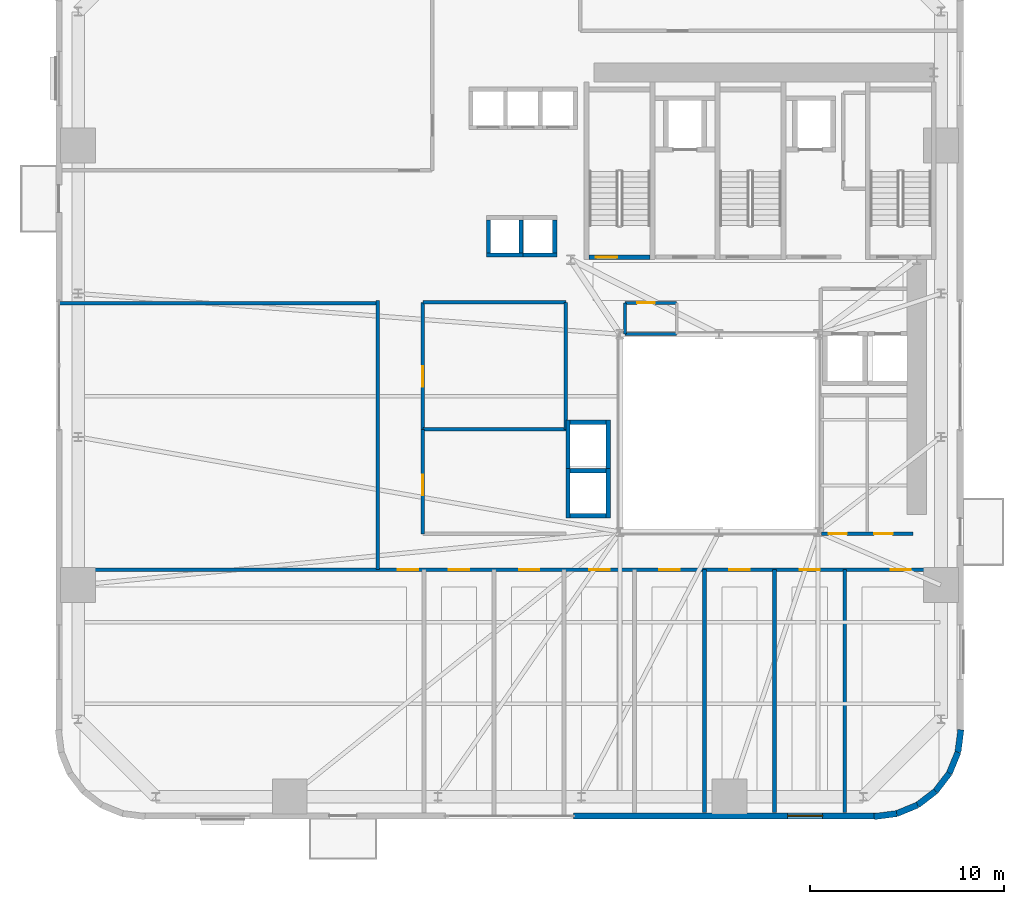
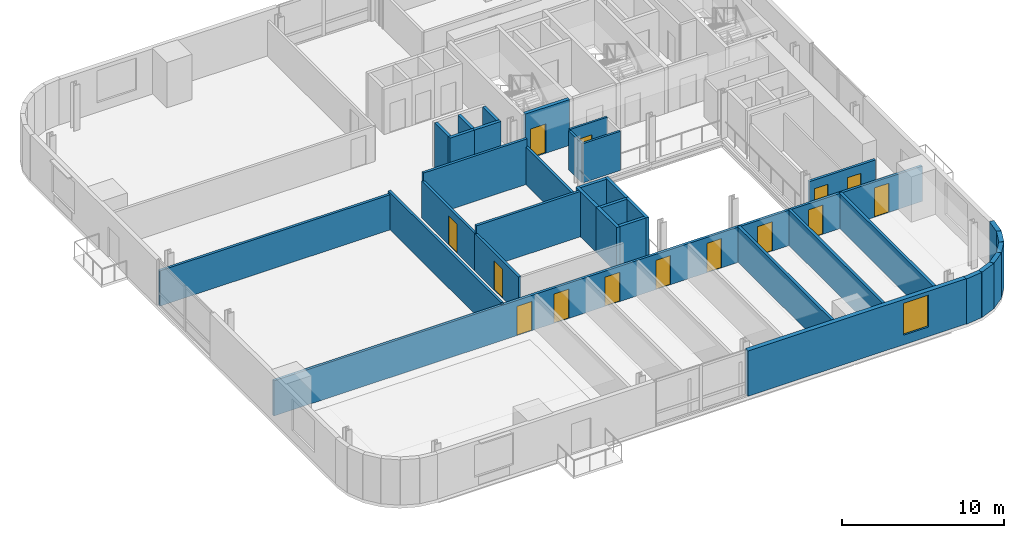
# One storey, part 6 of 13: 35 walls, 14 doors, 1 window, 15 openings.
"""IFC4 building model written with IfcOpenShell, lengths in metres."""

from ifc_helpers import new_model, si_unit, direction, frame, frame_2d, origin, place, context, subcontext, project, spatial, rectangle, extrude, source, transform, mapped, material, layer, layer_set, type_object, element, fill, save


model = new_model("IFC4")

# Units and contexts
model_context = context("Model", 3, precision=1e-05, world=origin(), true_north=direction((0.0, 1.0)))
body_context = subcontext(model_context, "Body", "Model", "MODEL_VIEW")
ifc_project = project(units=[si_unit("LENGTHUNIT", "METRE"), si_unit("AREAUNIT", "SQUARE_METRE"), si_unit("VOLUMEUNIT", "CUBIC_METRE"), si_unit("PLANEANGLEUNIT", "RADIAN"), si_unit("MASSUNIT", "GRAM", prefix="KILO")], contexts=[model_context])

# Site, building, storey
site_placement = place(None, origin())
site = spatial("IfcSite", under=ifc_project, at=site_placement, CompositionType="ELEMENT")
building_placement = place(site_placement, origin())
building = spatial("IfcBuilding", under=site, at=building_placement, Name="Vardaveli Station Tower", CompositionType="ELEMENT")
storey_placement = place(building_placement, frame((0.0, 0.0, 64.10009765625)))
storey = spatial("IfcBuildingStorey", under=building, at=storey_placement, Name="L16", CompositionType="ELEMENT", Elevation=64.10009765625)

# Wall, opening, window
ifc_material_1 = material(Name="Precast concrete C45/55", Category="concrete")
ifc_layer_1 = layer(ifc_material_1, 0.320068359375, Name="Precast concrete C45/55")
ifc_layer_set_1 = layer_set([ifc_layer_1], Name="Precast concrete C45/55")
wall_type_1 = type_object("IfcWallType", Name="WAL-EXT-STONE-320", PredefinedType="SOLIDWALL", material=ifc_layer_set_1)
shared_shape_1 = source(origin(), body_context, "Body", "SweptSolid", [
    extrude(rectangle(XDim=15.599853515625, YDim=0.320068359375, at=frame_2d((7.7998046875, 0.0))), origin(), (0.0, 0.0, 1.0), 3.409912109375),
])
wall_1_placement = place(storey_placement, frame((28.800048828125, 1.9599609375, 0.0), z_axis=(0.0, 0.0, 1.0), x_axis=(1.0, 0.0, 0.0)))
wall_1 = element("IfcWall", 1, at=wall_1_placement, inside=storey, type_object=wall_type_1, Name="EW-L16-S2", PredefinedType="SOLIDWALL", context=body_context, shape_type="MappedRepresentation", body=[
    mapped(shared_shape_1, transform((0.0, 0.0, 0.0), scale=1.0)),
])
shared_shape_2 = source(origin(), body_context, "Body", "SweptSolid", [
    extrude(rectangle(XDim=1.800048828125, YDim=2.39990234375, at=frame_2d((0.89990234375, 1.199951171875))), frame((0.0, 0.169921875, 0.0), z_axis=(0.0, -1.0, 0.0), x_axis=(1.0, 0.0, 0.0)), (0.0, 0.0, 1.0), 0.340087890625),
])
opening_1_placement = place(wall_1_placement, frame((11.044921875, 0.0, 0.719970703125)))
opening_1 = element("IfcOpeningElement", 2, at=opening_1_placement, cuts=wall_1, Name="Opening W-05", PredefinedType="OPENING", context=body_context, shape_type="MappedRepresentation", body=[
    mapped(shared_shape_2, transform((0.0, 0.0, 0.0), scale=1.0)),
])
ifc_material_2 = material(Name="Low-E solar-control glass", Category="glass")
window_type = type_object("IfcWindowType", Name="WIN-HIGH-1800x2400", PartitioningType="SINGLE_PANEL", PredefinedType="WINDOW", material=ifc_material_2)
shared_shape_3 = source(origin(), body_context, "Body", "SweptSolid", [
    extrude(rectangle(XDim=1.800048828125, YDim=2.39990234375, at=frame_2d((0.89990234375, 1.199951171875))), frame((0.0, 0.030029296875, 0.0), z_axis=(0.0, -1.0, 0.0), x_axis=(1.0, 0.0, 0.0)), (0.0, 0.0, 1.0), 0.06005859375),
])
window_placement = place(opening_1_placement, origin())
window = element("IfcWindow", 3, at=window_placement, inside=storey, type_object=window_type, Name="WN-L16-S2", OverallHeight=2.39990234375, OverallWidth=1.800048828125, PartitioningType="SINGLE_PANEL", PredefinedType="WINDOW", context=body_context, shape_type="MappedRepresentation", body=[
    mapped(shared_shape_3, transform((0.0, 0.0, 0.0), scale=1.0)),
])
fill(opening_1, window)

# Walls
shared_shape_4 = source(origin(), body_context, "Body", "SweptSolid", [
    extrude(rectangle(XDim=1.170654296875, YDim=0.320068359375, at=frame_2d((0.58544921875, 0.0))), origin(), (0.0, 0.0, 1.0), 3.409912109375),
])
wall_2_placement = place(storey_placement, frame((48.62548828125, 5.23974609375, 0.0), z_axis=(0.0, 0.0, 1.0), x_axis=(0.128269133229, 0.991739395941, 0.0)))
element("IfcWall", 4, at=wall_2_placement, inside=storey, type_object=wall_type_1, Name="EW-L16-CR2-6", PredefinedType="SOLIDWALL", context=body_context, shape_type="MappedRepresentation", body=[
    mapped(shared_shape_4, transform((0.0, 0.0, 0.0), scale=1.0)),
])
shared_shape_5 = source(origin(), body_context, "Body", "SweptSolid", [
    extrude(rectangle(XDim=1.1689453125, YDim=0.320068359375, at=frame_2d((0.58447265625, 0.0))), origin(), (0.0, 0.0, 1.0), 3.409912109375),
])
for number, where, z_axis, x_axis, name in (
    (5, (47.46875, 3.231201171875, 0.0), (0.0, 0.0, 1.0), (0.608387696831, 0.793639975269, 0.0), "EW-L16-CR2-4"),
    (6, (48.179931640625, 4.158935546875, 0.0), (0.0, 0.0, 1.0), (0.381127904695, 0.924522320046, 0.0), "EW-L16-CR2-5"),
):
    element("IfcWall", number, at=place(storey_placement, frame(where, z_axis=z_axis, x_axis=x_axis)), inside=storey, type_object=wall_type_1, Name=name, PredefinedType="SOLIDWALL", context=body_context, shape_type="MappedRepresentation", body=[
        mapped(shared_shape_5, transform((0.0, 0.0, 0.0), scale=1.0)),
    ])
shared_shape_6 = source(origin(), body_context, "Body", "SweptSolid", [
    extrude(rectangle(XDim=1.168701171875, YDim=0.320068359375, at=frame_2d((0.58447265625, 0.0))), origin(), (0.0, 0.0, 1.0), 3.409912109375),
])
wall_3_placement = place(storey_placement, frame((46.541259765625, 2.520263671875, 0.0), z_axis=(0.0, 0.0, 1.0), x_axis=(0.793663520347, 0.608356981114, 0.0)))
element("IfcWall", 7, at=wall_3_placement, inside=storey, type_object=wall_type_1, Name="EW-L16-CR2-3", PredefinedType="SOLIDWALL", context=body_context, shape_type="MappedRepresentation", body=[
    mapped(shared_shape_6, transform((0.0, 0.0, 0.0), scale=1.0)),
])
shared_shape_7 = source(origin(), body_context, "Body", "SweptSolid", [
    extrude(rectangle(XDim=1.16943359375, YDim=0.320068359375, at=frame_2d((0.584716796875, 0.0))), origin(), (0.0, 0.0, 1.0), 3.409912109375),
])
wall_4_placement = place(storey_placement, frame((45.460205078125, 2.074462890625, 0.0), z_axis=(0.0, 0.0, 1.0), x_axis=(0.924479075121, 0.381232789334, 0.0)))
element("IfcWall", 8, at=wall_4_placement, inside=storey, type_object=wall_type_1, Name="EW-L16-CR2-2", PredefinedType="SOLIDWALL", context=body_context, shape_type="MappedRepresentation", body=[
    mapped(shared_shape_7, transform((0.0, 0.0, 0.0), scale=1.0)),
])
shared_shape_8 = source(origin(), body_context, "Body", "SweptSolid", [
    extrude(rectangle(XDim=1.170166015625, YDim=0.320068359375, at=frame_2d((0.5849609375, 0.0))), origin(), (0.0, 0.0, 1.0), 3.409912109375),
])
wall_5_placement = place(storey_placement, frame((44.299560546875, 1.924560546875, 0.0), z_axis=(0.0, 0.0, 1.0), x_axis=(0.991762485493, 0.128090485085, 0.0)))
element("IfcWall", 9, at=wall_5_placement, inside=storey, type_object=wall_type_1, Name="EW-L16-CR2-1", PredefinedType="SOLIDWALL", context=body_context, shape_type="MappedRepresentation", body=[
    mapped(shared_shape_8, transform((0.0, 0.0, 0.0), scale=1.0)),
])

# Wall, opening, door
ifc_material_3 = material(Name="Concrete C40/50", Category="concrete")
ifc_layer_2 = layer(ifc_material_3, 0.25, Name="Concrete C40/50")
ifc_layer_set_2 = layer_set([ifc_layer_2], Name="Concrete C40/50")
wall_type_2 = type_object("IfcWallType", Name="WAL-SHAFT-250", PredefinedType="SOLIDWALL", material=ifc_layer_set_2)
shared_shape_9 = source(origin(), body_context, "Body", "SweptSolid", [
    extrude(rectangle(XDim=3.14990234375, YDim=0.25, at=frame_2d((1.574951171875, 0.0))), origin(), (0.0, 0.0, 1.0), 3.449951171875),
])
wall_6_placement = place(storey_placement, frame((29.60009765625, 30.77490234375, 0.0), z_axis=(0.0, 0.0, 1.0), x_axis=(1.0, 0.0, 0.0)))
wall_6 = element("IfcWall", 10, at=wall_6_placement, inside=storey, type_object=wall_type_2, Name="W-L16-ST-1S", PredefinedType="SOLIDWALL", context=body_context, shape_type="MappedRepresentation", body=[
    mapped(shared_shape_9, transform((0.0, 0.0, 0.0), scale=1.0)),
])
shared_shape_10 = source(origin(), body_context, "Body", "SweptSolid", [
    extrude(rectangle(XDim=1.10009765625, YDim=2.199951171875, at=frame_2d((0.550048828125, 1.10009765625))), frame((0.0, 0.135009765625, 0.0), z_axis=(0.0, -1.0, 0.0), x_axis=(1.0, 0.0, 0.0)), (0.0, 0.0, 1.0), 0.27001953125),
])
opening_2_placement = place(wall_6_placement, frame((0.35009765625, 0.0, 0.0)))
opening_2 = element("IfcOpeningElement", 11, at=opening_2_placement, cuts=wall_6, Name="Opening D-04", PredefinedType="OPENING", context=body_context, shape_type="MappedRepresentation", body=[
    mapped(shared_shape_10, transform((0.0, 0.0, 0.0), scale=1.0)),
])
ifc_material_4 = material(Name="Steel smokeproof fire doorset", Category="steel")
door_type_1 = type_object("IfcDoorType", Name="DR-ST-1100x2200", OperationType="NOTDEFINED", PredefinedType="DOOR", material=ifc_material_4)
shared_shape_11 = source(origin(), body_context, "Body", "SweptSolid", [
    extrude(rectangle(XDim=1.10009765625, YDim=2.199951171875, at=frame_2d((0.550048828125, 1.10009765625))), frame((0.0, 0.02490234375, 0.0), z_axis=(0.0, -1.0, 0.0), x_axis=(1.0, 0.0, 0.0)), (0.0, 0.0, 1.0), 0.050048828125),
])
door_1_placement = place(opening_2_placement, origin())
door_1 = element("IfcDoor", 12, at=door_1_placement, inside=storey, type_object=door_type_1, Name="DST-1-L16", OperationType="SINGLE_SWING_LEFT", OverallHeight=2.199951171875, OverallWidth=1.10009765625, PredefinedType="DOOR", context=body_context, shape_type="MappedRepresentation", body=[
    mapped(shared_shape_11, transform((0.0, 0.0, 0.0), scale=1.0)),
])
fill(opening_2, door_1)

# Walls
ifc_layer_3 = layer(ifc_material_3, 0.219970703125, Name="Concrete C40/50")
ifc_layer_set_3 = layer_set([ifc_layer_3], Name="Concrete C40/50")
wall_type_3 = type_object("IfcWallType", Name="WAL-FFLOBBY-220", PredefinedType="SOLIDWALL", material=ifc_layer_set_3)
shared_shape_12 = source(origin(), body_context, "Body", "SweptSolid", [
    extrude(rectangle(XDim=1.89013671875, YDim=0.219970703125, at=frame_2d((0.945068359375, 0.0))), origin(), (0.0, 0.0, 1.0), 3.409912109375),
])
for number, where, z_axis, x_axis, name in (
    (13, (24.304931640625, 30.889892578125, 0.0), (0.0, 0.0, 1.0), (1.0, 0.0, 0.0), "SHW-SHU-01-L16-S"),
    (14, (26.054931640625, 30.889892578125, 0.0), (0.0, 0.0, 1.0), (1.0, 0.0, 0.0), "SHW-SHU-02-L16-S"),
):
    element("IfcWall", number, at=place(storey_placement, frame(where, z_axis=z_axis, x_axis=x_axis)), inside=storey, type_object=wall_type_3, Name=name, PredefinedType="SOLIDWALL", context=body_context, shape_type="MappedRepresentation", body=[
        mapped(shared_shape_12, transform((0.0, 0.0, 0.0), scale=1.0)),
    ])
shared_shape_13 = source(origin(), body_context, "Body", "SweptSolid", [
    extrude(rectangle(XDim=1.699951171875, YDim=0.219970703125, at=frame_2d((0.85009765625, 0.0))), origin(), (0.0, 0.0, 1.0), 3.409912109375),
])
for number, where, z_axis, x_axis, name in (
    (15, (24.4150390625, 31.0, 0.0), (0.0, 0.0, 1.0), (0.0, 1.0, 0.0), "SHW-SHU-01-L16-W"),
    (16, (26.0849609375, 31.0, 0.0), (0.0, 0.0, 1.0), (0.0, 1.0, 0.0), "SHW-SHU-01-L16-E"),
    (17, (27.8349609375, 31.0, 0.0), (0.0, 0.0, 1.0), (0.0, 1.0, 0.0), "SHW-SHU-02-L16-E"),
):
    element("IfcWall", number, at=place(storey_placement, frame(where, z_axis=z_axis, x_axis=x_axis)), inside=storey, type_object=wall_type_3, Name=name, PredefinedType="SOLIDWALL", context=body_context, shape_type="MappedRepresentation", body=[
        mapped(shared_shape_13, transform((0.0, 0.0, 0.0), scale=1.0)),
    ])
shared_shape_14 = source(origin(), body_context, "Body", "SweptSolid", [
    extrude(rectangle(XDim=1.85009765625, YDim=0.219970703125, at=frame_2d((0.925048828125, 0.0))), origin(), (0.0, 0.0, 1.0), 3.409912109375),
])
for number, where, z_axis, x_axis, name in (
    (18, (28.625, 17.43994140625, 0.0), (0.0, 0.0, 1.0), (1.0, 0.0, 0.0), "SHW-OBS-01-L16-S"),
    (19, (28.625, 19.760009765625, 0.0), (0.0, 0.0, 1.0), (1.0, 0.0, 0.0), "SHW-OBS-01-L16-N"),
    (20, (28.625, 22.260009765625, 0.0), (0.0, 0.0, 1.0), (1.0, 0.0, 0.0), "SHW-OBS-02-L16-N"),
):
    element("IfcWall", number, at=place(storey_placement, frame(where, z_axis=z_axis, x_axis=x_axis)), inside=storey, type_object=wall_type_3, Name=name, PredefinedType="SOLIDWALL", context=body_context, shape_type="MappedRepresentation", body=[
        mapped(shared_shape_14, transform((0.0, 0.0, 0.0), scale=1.0)),
    ])
shared_shape_15 = source(origin(), body_context, "Body", "SweptSolid", [
    extrude(rectangle(XDim=2.5400390625, YDim=0.219970703125, at=frame_2d((1.27001953125, 0.0))), origin(), (0.0, 0.0, 1.0), 3.409912109375),
])
for number, where, z_axis, x_axis, name in (
    (21, (28.514892578125, 17.330078125, 0.0), (0.0, 0.0, 1.0), (0.0, 1.0, 0.0), "SHW-OBS-01-L16-W"),
    (22, (30.5849609375, 17.330078125, 0.0), (0.0, 0.0, 1.0), (0.0, 1.0, 0.0), "SHW-OBS-01-L16-E"),
    (23, (28.514892578125, 19.830078125, 0.0), (0.0, 0.0, 1.0), (0.0, 1.0, 0.0), "SHW-OBS-02-L16-W"),
    (24, (30.5849609375, 19.830078125, 0.0), (0.0, 0.0, 1.0), (0.0, 1.0, 0.0), "SHW-OBS-02-L16-E"),
):
    element("IfcWall", number, at=place(storey_placement, frame(where, z_axis=z_axis, x_axis=x_axis)), inside=storey, type_object=wall_type_3, Name=name, PredefinedType="SOLIDWALL", context=body_context, shape_type="MappedRepresentation", body=[
        mapped(shared_shape_15, transform((0.0, 0.0, 0.0), scale=1.0)),
    ])

# Wall, openings, doors
ifc_material_5 = material(Name="Fire-rated gypsum stud partition")
ifc_layer_4 = layer(ifc_material_5, 0.179931640625, Name="Fire-rated gypsum stud partition")
ifc_layer_set_4 = layer_set([ifc_layer_4], Name="Fire-rated gypsum stud partition")
wall_type_4 = type_object("IfcWallType", Name="WAL-CORR-180", PredefinedType="PARTITIONING", material=ifc_layer_set_4)
shared_shape_16 = source(origin(), body_context, "Body", "SweptSolid", [
    extrude(rectangle(XDim=46.15576171875, YDim=0.179931640625, at=frame_2d((23.077880859375, 0.0))), origin(), (0.0, 0.0, 1.0), 2.65185546875),
])
wall_7_placement = place(storey_placement, frame((2.422119140625, 14.659912109375, 0.0), z_axis=(0.0, 0.0, 1.0), x_axis=(1.0, 0.0, 0.0)))
wall_7 = element("IfcWall", 25, at=wall_7_placement, inside=storey, type_object=wall_type_4, Name="W-L16-CS", PredefinedType="PARTITIONING", context=body_context, shape_type="MappedRepresentation", body=[
    mapped(shared_shape_16, transform((0.0, 0.0, 0.0), scale=1.0)),
])
shared_shape_17 = source(origin(), body_context, "Body", "SweptSolid", [
    extrude(rectangle(XDim=1.050048828125, YDim=2.199951171875, at=frame_2d((0.52490234375, 1.10009765625))), frame((0.0, 0.10009765625, 0.0), z_axis=(0.0, -1.0, 0.0), x_axis=(1.0, 0.0, 0.0)), (0.0, 0.0, 1.0), 0.199951171875),
])
opening_3_placement = place(wall_7_placement, frame((17.30810546875, 0.0, 0.0)))
opening_3 = element("IfcOpeningElement", 26, at=opening_3_placement, cuts=wall_7, Name="Opening D-05", PredefinedType="OPENING", context=body_context, shape_type="MappedRepresentation", body=[
    mapped(shared_shape_17, transform((0.0, 0.0, 0.0), scale=1.0)),
])
opening_4_placement = place(wall_7_placement, frame((19.947021484375, 0.0, 0.0)))
opening_4 = element("IfcOpeningElement", 27, at=opening_4_placement, cuts=wall_7, Name="Opening D-05", PredefinedType="OPENING", context=body_context, shape_type="MappedRepresentation", body=[
    mapped(shared_shape_17, transform((0.0, 0.0, 0.0), scale=1.0)),
])
opening_5_placement = place(wall_7_placement, frame((23.564697265625, 0.0, 0.0)))
opening_5 = element("IfcOpeningElement", 28, at=opening_5_placement, cuts=wall_7, Name="Opening D-05", PredefinedType="OPENING", context=body_context, shape_type="MappedRepresentation", body=[
    mapped(shared_shape_17, transform((0.0, 0.0, 0.0), scale=1.0)),
])
opening_6_placement = place(wall_7_placement, frame((27.1826171875, 0.0, 0.0)))
opening_6 = element("IfcOpeningElement", 29, at=opening_6_placement, cuts=wall_7, Name="Opening D-05", PredefinedType="OPENING", context=body_context, shape_type="MappedRepresentation", body=[
    mapped(shared_shape_17, transform((0.0, 0.0, 0.0), scale=1.0)),
])
opening_7_placement = place(wall_7_placement, frame((30.80078125, 0.0, 0.0)))
opening_7 = element("IfcOpeningElement", 30, at=opening_7_placement, cuts=wall_7, Name="Opening D-05", PredefinedType="OPENING", context=body_context, shape_type="MappedRepresentation", body=[
    mapped(shared_shape_17, transform((0.0, 0.0, 0.0), scale=1.0)),
])
opening_8_placement = place(wall_7_placement, frame((34.418701171875, 0.0, 0.0)))
opening_8 = element("IfcOpeningElement", 31, at=opening_8_placement, cuts=wall_7, Name="Opening D-05", PredefinedType="OPENING", context=body_context, shape_type="MappedRepresentation", body=[
    mapped(shared_shape_17, transform((0.0, 0.0, 0.0), scale=1.0)),
])
opening_9_placement = place(wall_7_placement, frame((38.03662109375, 0.0, 0.0)))
opening_9 = element("IfcOpeningElement", 32, at=opening_9_placement, cuts=wall_7, Name="Opening D-05", PredefinedType="OPENING", context=body_context, shape_type="MappedRepresentation", body=[
    mapped(shared_shape_17, transform((0.0, 0.0, 0.0), scale=1.0)),
])
opening_10_placement = place(wall_7_placement, frame((42.726806640625, 0.0, 0.0)))
opening_10 = element("IfcOpeningElement", 33, at=opening_10_placement, cuts=wall_7, Name="Opening D-05", PredefinedType="OPENING", context=body_context, shape_type="MappedRepresentation", body=[
    mapped(shared_shape_17, transform((0.0, 0.0, 0.0), scale=1.0)),
])
ifc_material_6 = material(Name="Walnut veneer acoustic fire door")
door_type_2 = type_object("IfcDoorType", Name="DR-SUITE-1050x2200", OperationType="NOTDEFINED", PredefinedType="DOOR", material=ifc_material_6)
shared_shape_18 = source(origin(), body_context, "Body", "SweptSolid", [
    extrude(rectangle(XDim=1.050048828125, YDim=2.199951171875, at=frame_2d((0.52490234375, 1.10009765625))), frame((0.0, 0.02490234375, 0.0), z_axis=(0.0, -1.0, 0.0), x_axis=(1.0, 0.0, 0.0)), (0.0, 0.0, 1.0), 0.050048828125),
])
door_2_placement = place(opening_3_placement, origin())
door_2 = element("IfcDoor", 34, at=door_2_placement, inside=storey, type_object=door_type_2, Name="D-L16-SA1", OperationType="SINGLE_SWING_RIGHT", OverallHeight=2.199951171875, OverallWidth=1.050048828125, PredefinedType="DOOR", context=body_context, shape_type="MappedRepresentation", body=[
    mapped(shared_shape_18, transform((0.0, 0.0, 0.0), scale=1.0)),
])
fill(opening_3, door_2)
door_3_placement = place(opening_4_placement, origin())
door_3 = element("IfcDoor", 35, at=door_3_placement, inside=storey, type_object=door_type_2, Name="D-L16-SA2", OperationType="SINGLE_SWING_LEFT", OverallHeight=2.199951171875, OverallWidth=1.050048828125, PredefinedType="DOOR", context=body_context, shape_type="MappedRepresentation", body=[
    mapped(shared_shape_18, transform((0.0, 0.0, 0.0), scale=1.0)),
])
fill(opening_4, door_3)
door_4_placement = place(opening_5_placement, origin())
door_4 = element("IfcDoor", 36, at=door_4_placement, inside=storey, type_object=door_type_2, Name="D-L16-SA3", OperationType="SINGLE_SWING_RIGHT", OverallHeight=2.199951171875, OverallWidth=1.050048828125, PredefinedType="DOOR", context=body_context, shape_type="MappedRepresentation", body=[
    mapped(shared_shape_18, transform((0.0, 0.0, 0.0), scale=1.0)),
])
fill(opening_5, door_4)
door_5_placement = place(opening_6_placement, origin())
door_5 = element("IfcDoor", 37, at=door_5_placement, inside=storey, type_object=door_type_2, Name="D-L16-SA4", OperationType="SINGLE_SWING_LEFT", OverallHeight=2.199951171875, OverallWidth=1.050048828125, PredefinedType="DOOR", context=body_context, shape_type="MappedRepresentation", body=[
    mapped(shared_shape_18, transform((0.0, 0.0, 0.0), scale=1.0)),
])
fill(opening_6, door_5)
door_6_placement = place(opening_7_placement, origin())
door_6 = element("IfcDoor", 38, at=door_6_placement, inside=storey, type_object=door_type_2, Name="D-L16-SA5", OperationType="SINGLE_SWING_RIGHT", OverallHeight=2.199951171875, OverallWidth=1.050048828125, PredefinedType="DOOR", context=body_context, shape_type="MappedRepresentation", body=[
    mapped(shared_shape_18, transform((0.0, 0.0, 0.0), scale=1.0)),
])
fill(opening_7, door_6)
door_7_placement = place(opening_8_placement, origin())
door_7 = element("IfcDoor", 39, at=door_7_placement, inside=storey, type_object=door_type_2, Name="D-L16-SA6", OperationType="SINGLE_SWING_LEFT", OverallHeight=2.199951171875, OverallWidth=1.050048828125, PredefinedType="DOOR", context=body_context, shape_type="MappedRepresentation", body=[
    mapped(shared_shape_18, transform((0.0, 0.0, 0.0), scale=1.0)),
])
fill(opening_8, door_7)
door_8_placement = place(opening_9_placement, origin())
door_8 = element("IfcDoor", 40, at=door_8_placement, inside=storey, type_object=door_type_2, Name="D-L16-SA7", OperationType="SINGLE_SWING_RIGHT", OverallHeight=2.199951171875, OverallWidth=1.050048828125, PredefinedType="DOOR", context=body_context, shape_type="MappedRepresentation", body=[
    mapped(shared_shape_18, transform((0.0, 0.0, 0.0), scale=1.0)),
])
fill(opening_9, door_8)
door_9_placement = place(opening_10_placement, origin())
door_9 = element("IfcDoor", 41, at=door_9_placement, inside=storey, type_object=door_type_2, Name="D-L16-SA8", OperationType="SINGLE_SWING_LEFT", OverallHeight=2.199951171875, OverallWidth=1.050048828125, PredefinedType="DOOR", context=body_context, shape_type="MappedRepresentation", body=[
    mapped(shared_shape_18, transform((0.0, 0.0, 0.0), scale=1.0)),
])
fill(opening_10, door_9)

# Wall
shared_shape_19 = source(origin(), body_context, "Body", "SweptSolid", [
    extrude(rectangle(XDim=13.89013671875, YDim=0.179931640625, at=frame_2d((6.945068359375, 0.0))), origin(), (0.0, 0.0, 1.0), 2.802001953125),
])
wall_8_placement = place(storey_placement, frame((18.7099609375, 14.659912109375, 0.0), z_axis=(0.0, 0.0, 1.0), x_axis=(0.0, 1.0, 0.0)))
element("IfcWall", 42, at=wall_8_placement, inside=storey, type_object=wall_type_4, Name="W-L16-CW", PredefinedType="PARTITIONING", context=body_context, shape_type="MappedRepresentation", body=[
    mapped(shared_shape_19, transform((0.0, 0.0, 0.0), scale=1.0)),
])

# Wall, openings, doors
shared_shape_20 = source(origin(), body_context, "Body", "SweptSolid", [
    extrude(rectangle(XDim=4.699951171875, YDim=0.179931640625, at=frame_2d((2.35009765625, 0.0))), origin(), (0.0, 0.0, 1.0), 2.802001953125),
])
wall_9_placement = place(storey_placement, frame((41.60009765625, 16.5, 0.0), z_axis=(0.0, 0.0, 1.0), x_axis=(1.0, 0.0, 0.0)))
wall_9 = element("IfcWall", 43, at=wall_9_placement, inside=storey, type_object=wall_type_4, Name="W-L16-ATE-S", PredefinedType="PARTITIONING", context=body_context, shape_type="MappedRepresentation", body=[
    mapped(shared_shape_20, transform((0.0, 0.0, 0.0), scale=1.0)),
])
shared_shape_21 = source(origin(), body_context, "Body", "SweptSolid", [
    extrude(rectangle(XDim=0.949951171875, YDim=2.14990234375, at=frame_2d((0.47509765625, 1.074951171875))), frame((0.0, 0.10009765625, 0.0), z_axis=(0.0, -1.0, 0.0), x_axis=(1.0, 0.0, 0.0)), (0.0, 0.0, 1.0), 0.199951171875),
])
opening_11_placement = place(wall_9_placement, frame((0.35009765625, 0.0, 0.0)))
opening_11 = element("IfcOpeningElement", 44, at=opening_11_placement, cuts=wall_9, Name="Opening D-11", PredefinedType="OPENING", context=body_context, shape_type="MappedRepresentation", body=[
    mapped(shared_shape_21, transform((0.0, 0.0, 0.0), scale=1.0)),
])
opening_12_placement = place(wall_9_placement, frame((2.699951171875, 0.0, 0.0)))
opening_12 = element("IfcOpeningElement", 45, at=opening_12_placement, cuts=wall_9, Name="Opening D-11", PredefinedType="OPENING", context=body_context, shape_type="MappedRepresentation", body=[
    mapped(shared_shape_21, transform((0.0, 0.0, 0.0), scale=1.0)),
])
ifc_material_7 = material(Name="Oak veneer internal suite door")
door_type_3 = type_object("IfcDoorType", Name="DR-INT-950x2150", OperationType="NOTDEFINED", PredefinedType="DOOR", material=ifc_material_7)
shared_shape_22 = source(origin(), body_context, "Body", "SweptSolid", [
    extrude(rectangle(XDim=0.949951171875, YDim=2.14990234375, at=frame_2d((0.47509765625, 1.074951171875))), frame((0.0, 0.02490234375, 0.0), z_axis=(0.0, -1.0, 0.0), x_axis=(1.0, 0.0, 0.0)), (0.0, 0.0, 1.0), 0.050048828125),
])
door_10_placement = place(opening_11_placement, origin())
door_10 = element("IfcDoor", 46, at=door_10_placement, inside=storey, type_object=door_type_3, Name="D-L16-ATE1", OperationType="SINGLE_SWING_RIGHT", OverallHeight=2.14990234375, OverallWidth=0.949951171875, PredefinedType="DOOR", context=body_context, shape_type="MappedRepresentation", body=[
    mapped(shared_shape_22, transform((0.0, 0.0, 0.0), scale=1.0)),
])
fill(opening_11, door_10)
door_11_placement = place(opening_12_placement, origin())
door_11 = element("IfcDoor", 47, at=door_11_placement, inside=storey, type_object=door_type_3, Name="D-L16-ATE2", OperationType="SINGLE_SWING_RIGHT", OverallHeight=2.14990234375, OverallWidth=0.949951171875, PredefinedType="DOOR", context=body_context, shape_type="MappedRepresentation", body=[
    mapped(shared_shape_22, transform((0.0, 0.0, 0.0), scale=1.0)),
])
fill(opening_12, door_11)

# Walls
ifc_material_8 = material(Name="Acoustic twin-stud gypsum partition")
ifc_layer_5 = layer(ifc_material_8, 0.199951171875, Name="Acoustic twin-stud gypsum partition")
ifc_layer_set_5 = layer_set([ifc_layer_5], Name="Acoustic twin-stud gypsum partition")
wall_type_5 = type_object("IfcWallType", Name="WAL-PARTY-200", PredefinedType="PARTITIONING", material=ifc_layer_set_5)
shared_shape_23 = source(origin(), body_context, "Body", "SweptSolid", [
    extrude(rectangle(XDim=12.537841796875, YDim=0.199951171875, at=frame_2d((6.26904296875, 0.0))), origin(), (0.0, 0.0, 1.0), 2.65185546875),
])
for number, where, z_axis, x_axis, name in (
    (48, (35.552001953125, 2.1220703125, 0.0), (0.0, 0.0, 1.0), (0.0, 1.0, 0.0), "W-L16-PS5"),
    (49, (39.169921875, 2.1220703125, 0.0), (0.0, 0.0, 1.0), (0.0, 1.0, 0.0), "W-L16-PS6"),
    (50, (42.7880859375, 2.1220703125, 0.0), (0.0, 0.0, 1.0), (0.0, 1.0, 0.0), "W-L16-PS7"),
):
    element("IfcWall", number, at=place(storey_placement, frame(where, z_axis=z_axis, x_axis=x_axis)), inside=storey, type_object=wall_type_5, Name=name, PredefinedType="PARTITIONING", context=body_context, shape_type="MappedRepresentation", body=[
        mapped(shared_shape_23, transform((0.0, 0.0, 0.0), scale=1.0)),
    ])

# Wall, opening, door
shared_shape_24 = source(origin(), body_context, "Body", "SweptSolid", [
    extrude(rectangle(XDim=6.5400390625, YDim=0.179931640625, at=frame_2d((3.27001953125, 0.0))), origin(), (0.0, 0.0, 1.0), 2.802001953125),
])
wall_10_placement = place(storey_placement, frame((21.030029296875, 21.89990234375, 0.0), z_axis=(0.0, 0.0, 1.0), x_axis=(0.0, 1.0, 0.0)))
wall_10 = element("IfcWall", 51, at=wall_10_placement, inside=storey, type_object=wall_type_4, Name="W-L16-ATW2-W", PredefinedType="PARTITIONING", context=body_context, shape_type="MappedRepresentation", body=[
    mapped(shared_shape_24, transform((0.0, 0.0, 0.0), scale=1.0)),
])
opening_13_placement = place(wall_10_placement, frame((2.199951171875, 0.0, 0.0)))
opening_13 = element("IfcOpeningElement", 52, at=opening_13_placement, cuts=wall_10, Name="Opening D-05", PredefinedType="OPENING", context=body_context, shape_type="MappedRepresentation", body=[
    mapped(shared_shape_17, transform((0.0, 0.0, 0.0), scale=1.0)),
])
door_12_placement = place(opening_13_placement, origin())
door_12 = element("IfcDoor", 53, at=door_12_placement, inside=storey, type_object=door_type_2, Name="D-L16-ATW2", OperationType="SINGLE_SWING_LEFT", OverallHeight=2.199951171875, OverallWidth=1.050048828125, PredefinedType="DOOR", context=body_context, shape_type="MappedRepresentation", body=[
    mapped(shared_shape_18, transform((0.0, 0.0, 0.0), scale=1.0)),
])
fill(opening_13, door_12)

# Wall
wall_11_placement = place(storey_placement, frame((28.39990234375, 21.89990234375, 0.0), z_axis=(0.0, 0.0, 1.0), x_axis=(0.0, 1.0, 0.0)))
element("IfcWall", 54, at=wall_11_placement, inside=storey, type_object=wall_type_4, Name="W-L16-ATW2-E", PredefinedType="PARTITIONING", context=body_context, shape_type="MappedRepresentation", body=[
    mapped(shared_shape_24, transform((0.0, 0.0, 0.0), scale=1.0)),
])

# Wall, opening, door
shared_shape_25 = source(origin(), body_context, "Body", "SweptSolid", [
    extrude(rectangle(XDim=5.39990234375, YDim=0.179931640625, at=frame_2d((2.699951171875, 0.0))), origin(), (0.0, 0.0, 1.0), 2.802001953125),
])
wall_12_placement = place(storey_placement, frame((21.030029296875, 16.5, 0.0), z_axis=(0.0, 0.0, 1.0), x_axis=(0.0, 1.0, 0.0)))
wall_12 = element("IfcWall", 55, at=wall_12_placement, inside=storey, type_object=wall_type_4, Name="W-L16-ATW1-W", PredefinedType="PARTITIONING", context=body_context, shape_type="MappedRepresentation", body=[
    mapped(shared_shape_25, transform((0.0, 0.0, 0.0), scale=1.0)),
])
opening_14_placement = place(wall_12_placement, frame((2.0, 0.0, 0.0)))
opening_14 = element("IfcOpeningElement", 56, at=opening_14_placement, cuts=wall_12, Name="Opening D-05", PredefinedType="OPENING", context=body_context, shape_type="MappedRepresentation", body=[
    mapped(shared_shape_17, transform((0.0, 0.0, 0.0), scale=1.0)),
])
door_13_placement = place(opening_14_placement, origin())
door_13 = element("IfcDoor", 57, at=door_13_placement, inside=storey, type_object=door_type_2, Name="D-L16-ATW1", OperationType="SINGLE_SWING_RIGHT", OverallHeight=2.199951171875, OverallWidth=1.050048828125, PredefinedType="DOOR", context=body_context, shape_type="MappedRepresentation", body=[
    mapped(shared_shape_18, transform((0.0, 0.0, 0.0), scale=1.0)),
])
fill(opening_14, door_13)

ifc_material_9 = material(Name="Moisture-resistant stud partition")
ifc_layer_6 = layer(ifc_material_9, 0.14990234375, Name="Moisture-resistant stud partition")
ifc_layer_set_6 = layer_set([ifc_layer_6], Name="Moisture-resistant stud partition")
wall_type_6 = type_object("IfcWallType", Name="WAL-WET-150", PredefinedType="PARTITIONING", material=ifc_layer_set_6)
shared_shape_26 = source(origin(), body_context, "Body", "SweptSolid", [
    extrude(rectangle(XDim=2.670166015625, YDim=0.14990234375, at=frame_2d((1.3349609375, 0.0))), origin(), (0.0, 0.0, 1.0), 3.0419921875),
])
wall_13_placement = place(storey_placement, frame((31.449951171875, 28.419921875, 0.0), z_axis=(0.0, 0.0, 1.0), x_axis=(1.0, 0.0, 0.0)))
wall_13 = element("IfcWall", 58, at=wall_13_placement, inside=storey, type_object=wall_type_6, Name="W-L16-WCA1-N", PredefinedType="PARTITIONING", context=body_context, shape_type="MappedRepresentation", body=[
    mapped(shared_shape_26, transform((0.0, 0.0, 0.0), scale=1.0)),
])
shared_shape_27 = source(origin(), body_context, "Body", "SweptSolid", [
    extrude(rectangle(XDim=0.919921875, YDim=2.10009765625, at=frame_2d((0.4599609375, 1.050048828125))), frame((0.0, 0.0849609375, 0.0), z_axis=(0.0, -1.0, 0.0), x_axis=(1.0, 0.0, 0.0)), (0.0, 0.0, 1.0), 0.169921875),
])
opening_15_placement = place(wall_13_placement, frame((0.6298828125, 0.0, 0.0)))
opening_15 = element("IfcOpeningElement", 59, at=opening_15_placement, cuts=wall_13, Name="Opening D-07", PredefinedType="OPENING", context=body_context, shape_type="MappedRepresentation", body=[
    mapped(shared_shape_27, transform((0.0, 0.0, 0.0), scale=1.0)),
])
ifc_material_10 = material(Name="Moisture-resistant hardwood door", Category="wood")
door_type_4 = type_object("IfcDoorType", Name="DR-WC-920x2100", OperationType="NOTDEFINED", PredefinedType="DOOR", material=ifc_material_10)
shared_shape_28 = source(origin(), body_context, "Body", "SweptSolid", [
    extrude(rectangle(XDim=0.919921875, YDim=2.10009765625, at=frame_2d((0.4599609375, 1.050048828125))), frame((0.0, 0.02490234375, 0.0), z_axis=(0.0, -1.0, 0.0), x_axis=(1.0, 0.0, 0.0)), (0.0, 0.0, 1.0), 0.050048828125),
])
door_14_placement = place(opening_15_placement, origin())
door_14 = element("IfcDoor", 60, at=door_14_placement, inside=storey, type_object=door_type_4, Name="D-L16-WCA", OperationType="SINGLE_SWING_LEFT", OverallHeight=2.10009765625, OverallWidth=0.919921875, PredefinedType="DOOR", context=body_context, shape_type="MappedRepresentation", body=[
    mapped(shared_shape_28, transform((0.0, 0.0, 0.0), scale=1.0)),
])
fill(opening_15, door_14)

# Walls
shared_shape_29 = source(origin(), body_context, "Body", "SweptSolid", [
    extrude(rectangle(XDim=2.670166015625, YDim=0.14990234375, at=frame_2d((1.3349609375, 0.0))), origin(), (0.0, 0.0, 1.0), 2.951904296875),
])
wall_14_placement = place(storey_placement, frame((31.449951171875, 26.820068359375, 0.0), z_axis=(0.0, 0.0, 1.0), x_axis=(1.0, 0.0, 0.0)))
element("IfcWall", 61, at=wall_14_placement, inside=storey, type_object=wall_type_6, Name="W-L16-WCA1-S", PredefinedType="PARTITIONING", context=body_context, shape_type="MappedRepresentation", body=[
    mapped(shared_shape_29, transform((0.0, 0.0, 0.0), scale=1.0)),
])
shared_shape_30 = source(origin(), body_context, "Body", "SweptSolid", [
    extrude(rectangle(XDim=1.599853515625, YDim=0.14990234375, at=frame_2d((0.7998046875, 0.0))), origin(), (0.0, 0.0, 1.0), 2.951904296875),
])
wall_15_placement = place(storey_placement, frame((31.449951171875, 26.820068359375, 0.0), z_axis=(0.0, 0.0, 1.0), x_axis=(0.0, 1.0, 0.0)))
element("IfcWall", 62, at=wall_15_placement, inside=storey, type_object=wall_type_6, Name="W-L16-WCA1-W", PredefinedType="PARTITIONING", context=body_context, shape_type="MappedRepresentation", body=[
    mapped(shared_shape_30, transform((0.0, 0.0, 0.0), scale=1.0)),
])
shared_shape_31 = source(origin(), body_context, "Body", "SweptSolid", [
    extrude(rectangle(XDim=16.47998046875, YDim=0.179931640625, at=frame_2d((8.239990234375, 0.0))), origin(), (0.0, 0.0, 1.0), 2.65185546875),
])
wall_16_placement = place(storey_placement, frame((2.22998046875, 28.39990234375, 0.0), z_axis=(0.0, 0.0, 1.0), x_axis=(1.0, 0.0, 0.0)))
element("IfcWall", 63, at=wall_16_placement, inside=storey, type_object=wall_type_4, Name="W-L16-CWN", PredefinedType="PARTITIONING", context=body_context, shape_type="MappedRepresentation", body=[
    mapped(shared_shape_31, transform((0.0, 0.0, 0.0), scale=1.0)),
])
shared_shape_32 = source(origin(), body_context, "Body", "SweptSolid", [
    extrude(rectangle(XDim=7.369873046875, YDim=0.179931640625, at=frame_2d((3.68505859375, 0.0))), origin(), (0.0, 0.0, 1.0), 3.409912109375),
])
for number, where, z_axis, x_axis, name in (
    (64, (21.030029296875, 21.89990234375, 0.0), (0.0, 0.0, 1.0), (1.0, 0.0, 0.0), "W-L16-ATW1-N"),
    (65, (21.030029296875, 28.43994140625, 0.0), (0.0, 0.0, 1.0), (1.0, 0.0, 0.0), "W-L16-ATW2-N"),
):
    element("IfcWall", number, at=place(storey_placement, frame(where, z_axis=z_axis, x_axis=x_axis)), inside=storey, type_object=wall_type_4, Name=name, PredefinedType="PARTITIONING", context=body_context, shape_type="MappedRepresentation", body=[
        mapped(shared_shape_32, transform((0.0, 0.0, 0.0), scale=1.0)),
    ])

save(model, "model.ifc")
